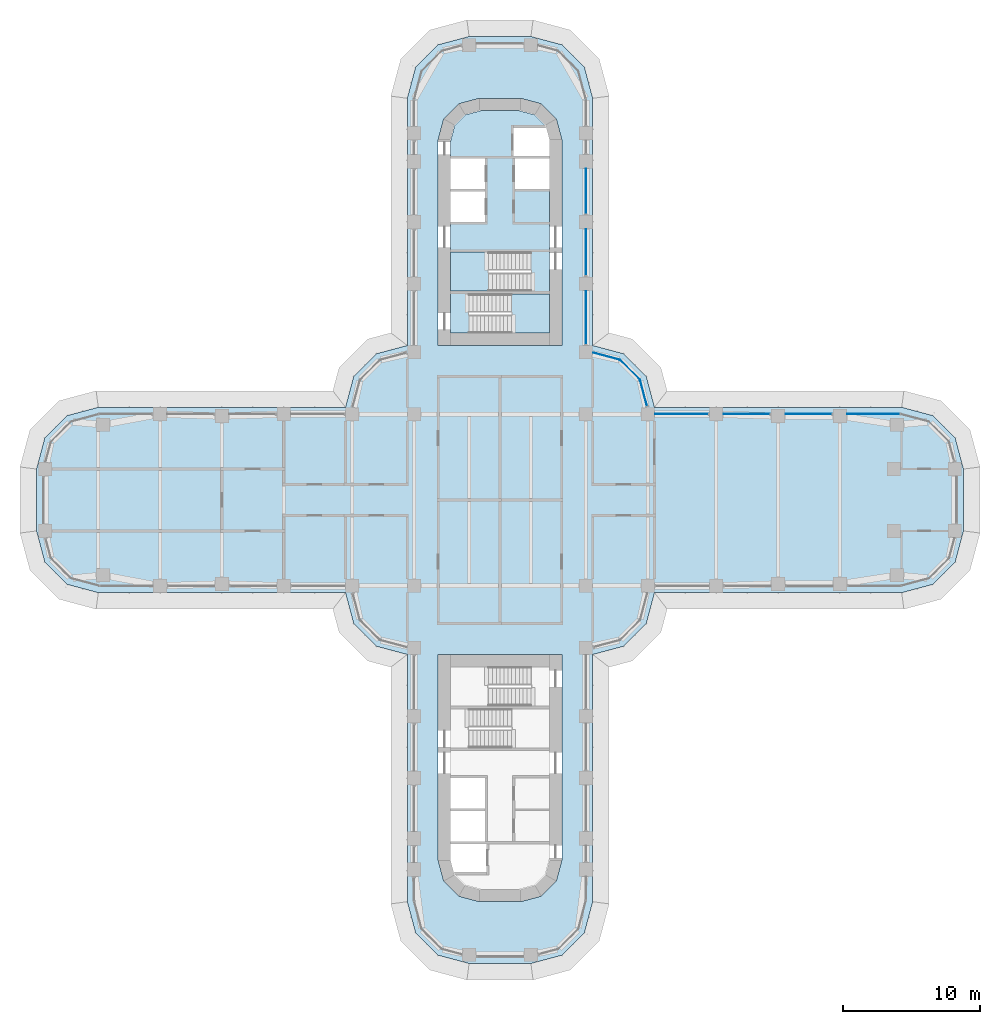
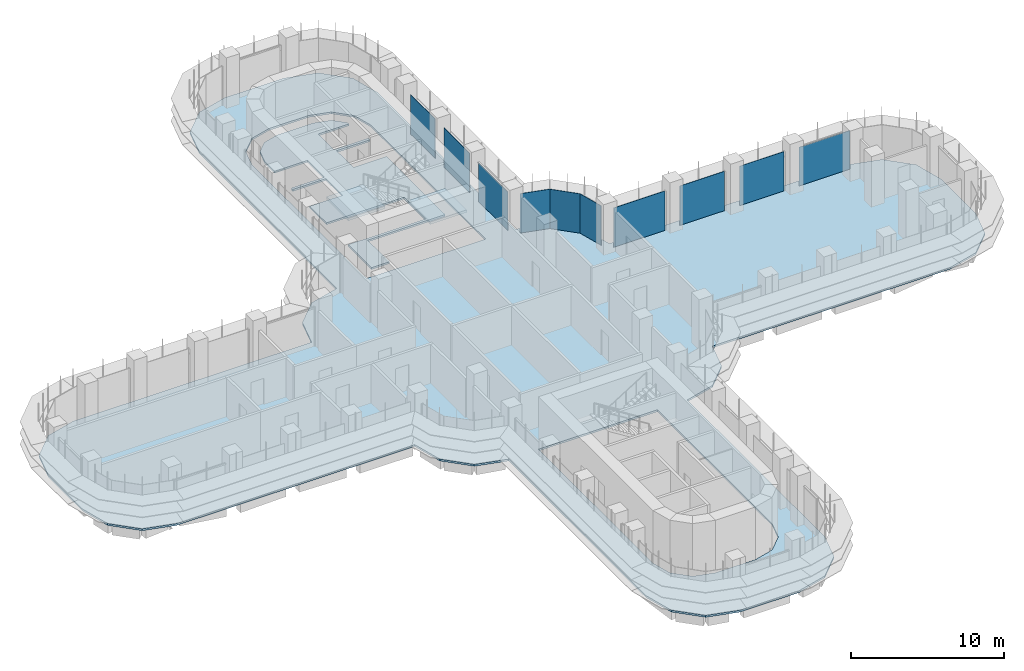
# One storey, part 15 of 23: 10 plates, 4 slabs, 7 elements without a shape of their own.
"""IFC4 building model written with IfcOpenShell, lengths in metres."""

from ifc_helpers import new_model, si_unit, direction, frame, origin, place, context, subcontext, project, spatial, polyline, outline, extrude, source, transform, mapped, material, layer, layer_set, type_object, element, aggregate, save


model = new_model("IFC4")

# Units and contexts
model_context = context("Model", 3, precision=1e-05, world=origin(), true_north=direction((0.0, 1.0)))
body_context = subcontext(model_context, "Body", "Model", "MODEL_VIEW")
ifc_project = project(units=[si_unit("LENGTHUNIT", "METRE"), si_unit("AREAUNIT", "SQUARE_METRE"), si_unit("VOLUMEUNIT", "CUBIC_METRE"), si_unit("PLANEANGLEUNIT", "RADIAN"), si_unit("MASSUNIT", "GRAM", prefix="KILO")], contexts=[model_context])

# Site, building, storey
site_placement = place(None, origin())
site = spatial("IfcSite", under=ifc_project, at=site_placement, CompositionType="ELEMENT")
building_placement = place(site_placement, origin())
building = spatial("IfcBuilding", under=site, at=building_placement, Name="Zarbagh Exchange Tower", CompositionType="ELEMENT")
storey_placement = place(building_placement, frame((0.0, 0.0, 64.800048828125)))
storey = spatial("IfcBuildingStorey", under=building, at=storey_placement, Name="L14", CompositionType="ELEMENT", Elevation=64.800048828125)

# Slabs
ifc_material_1 = material(Name="Concrete C40/50", Category="concrete")
ifc_layer_1 = layer(ifc_material_1, 0.14990234375)
ifc_layer_set_1 = layer_set([ifc_layer_1], Name="Composite floor slab 150 C40/50")
slab_type_1 = type_object("IfcSlabType", Name="Composite floor slab 150 C40/50", PredefinedType="FLOOR", material=ifc_layer_set_1)
slab_1_placement = place(storey_placement, frame((0.0, 0.0, -0.150146484375)))
element("IfcSlab", 1, at=slab_1_placement, inside=storey, type_object=slab_type_1, Name="S5 composite floor slab", PredefinedType="FLOOR", context=body_context, shape_type="SweptSolid", body=[
    extrude(outline(polyline([(-2.25, -33.75), (-4.5, -33.147216796875), (-6.147216796875, -31.5), (-6.75, -29.25), (-6.75, -11.25), (-9.0, -10.647216796875), (-10.647216796875, -9.0), (-11.25, -6.75), (-29.25, -6.75), (-31.5, -6.147216796875), (-33.147216796875, -4.5), (-33.75, -2.25), (-33.75, 2.25), (-33.147216796875, 4.5), (-31.5, 6.147216796875), (-29.25, 6.75), (-11.25, 6.75), (-10.647216796875, 9.0), (-9.0, 10.647216796875), (-6.75, 11.25), (-6.75, 29.25), (-6.147216796875, 31.5), (-4.5, 33.147216796875), (-2.25, 33.75), (2.25, 33.75), (4.5, 33.147216796875), (6.147216796875, 31.5), (6.75, 29.25), (6.75, 11.25), (9.0, 10.647216796875), (10.647216796875, 9.0), (11.25, 6.75), (29.25, 6.75), (31.5, 6.147216796875), (33.147216796875, 4.5), (33.75, 2.25), (33.75, -2.25), (33.147216796875, -4.5), (31.5, -6.147216796875), (29.25, -6.75), (11.25, -6.75), (10.647216796875, -9.0), (9.0, -10.647216796875), (6.75, -11.25), (6.75, -29.25), (6.147216796875, -31.5), (4.5, -33.147216796875), (2.25, -33.75), (-2.25, -33.75)]), holes=[polyline([(4.5, 11.25), (4.5, 26.25), (4.09814453125, 27.75), (3.0, 28.84814453125), (1.5, 29.25), (-1.5, 29.25), (-3.0, 28.84814453125), (-4.09814453125, 27.75), (-4.5, 26.25), (-4.5, 11.25), (4.5, 11.25)]), polyline([(-1.5, -29.25), (1.5, -29.25), (3.0, -28.84814453125), (4.09814453125, -27.75), (4.5, -26.25), (4.5, -11.25), (-4.5, -11.25), (-4.5, -26.25), (-4.09814453125, -27.75), (-3.0, -28.84814453125), (-1.5, -29.25)])]), origin(), (0.0, 0.0, 1.0), 0.150146484375),
])
ifc_layer_2 = layer(ifc_material_1, 0.14990234375)
ifc_layer_set_2 = layer_set([ifc_layer_2], Name="Core floor slab 150 C40/50")
slab_type_2 = type_object("IfcSlabType", Name="Core floor slab 150 C40/50", PredefinedType="FLOOR", material=ifc_layer_set_2)
slab_2_placement = place(storey_placement, frame((0.0, 0.0, -0.150146484375)))
element("IfcSlab", 2, at=slab_2_placement, inside=storey, type_object=slab_type_2, Name="S17 core N", PredefinedType="FLOOR", context=body_context, shape_type="SweptSolid", body=[
    extrude(outline(polyline([(-3.60009765625, 12.14990234375), (-3.60009765625, 15.199951171875), (2.25, 15.199951171875), (2.25, 18.050048828125), (-3.60009765625, 18.050048828125), (-3.60009765625, 20.25), (-1.10009765625, 20.25), (-1.10009765625, 22.449951171875), (-3.60009765625, 22.449951171875), (-3.60009765625, 22.64990234375), (-1.10009765625, 22.64990234375), (-1.10009765625, 24.85009765625), (-3.60009765625, 24.85009765625), (-3.60009765625, 26.131591796875), (-3.291259765625, 27.2841796875), (-2.5341796875, 28.041259765625), (-1.381591796875, 28.35009765625), (1.381591796875, 28.35009765625), (2.5341796875, 28.041259765625), (3.291259765625, 27.2841796875), (3.340576171875, 27.10009765625), (1.0, 27.10009765625), (1.0, 25.050048828125), (3.60009765625, 25.050048828125), (3.60009765625, 24.85009765625), (1.10009765625, 24.85009765625), (1.10009765625, 22.64990234375), (3.60009765625, 22.64990234375), (3.60009765625, 15.0), (-2.25, 15.0), (-2.25, 12.14990234375), (-3.60009765625, 12.14990234375)])), origin(), (0.0, 0.0, 1.0), 0.150146484375),
])

# Stair, slab
stair_type = type_object("IfcStairType", Name="Exit stair two-flight half-turn", PredefinedType="HALF_TURN_STAIR", material=ifc_material_1)
stair_1_placement = place(storey_placement, origin())
stair_1 = element("IfcStair", 3, at=stair_1_placement, inside=storey, type_object=stair_type, Name="exit stair ST1", PredefinedType="HALF_TURN_STAIR")
ifc_layer_3 = layer(ifc_material_1, 0.199951171875)
ifc_layer_set_3 = layer_set([ifc_layer_3], Name="Stair landing 200 mm")
slab_type_3 = type_object("IfcSlabType", Name="Stair landing 200 mm", PredefinedType="LANDING", material=ifc_layer_set_3)
slab_3_placement = place(storey_placement, frame((0.0, 0.0, 1.89990234375)))
slab_3 = element("IfcSlab", 4, at=slab_3_placement, type_object=slab_type_3, Name="ST1 landing 1", PredefinedType="LANDING", context=body_context, shape_type="SweptSolid", body=[
    extrude(outline(polyline([(-0.830078125, 18.050048828125), (-3.60009765625, 18.050048828125), (-3.60009765625, 15.199951171875), (-0.830078125, 15.199951171875), (-0.830078125, 18.050048828125)])), origin(), (0.0, 0.0, 1.0), 0.199951171875),
])
aggregate(stair_1, [slab_3])

stair_2_placement = place(storey_placement, origin())
stair_2 = element("IfcStair", 5, at=stair_2_placement, inside=storey, type_object=stair_type, Name="exit stair ST2", PredefinedType="HALF_TURN_STAIR")
slab_4_placement = place(storey_placement, frame((0.0, 0.0, 1.89990234375)))
slab_4 = element("IfcSlab", 6, at=slab_4_placement, type_object=slab_type_3, Name="ST2 landing 1", PredefinedType="LANDING", context=body_context, shape_type="SweptSolid", body=[
    extrude(outline(polyline([(0.830078125, 12.14990234375), (3.60009765625, 12.14990234375), (3.60009765625, 15.0), (0.830078125, 15.0), (0.830078125, 12.14990234375)])), origin(), (0.0, 0.0, 1.0), 0.199951171875),
])
aggregate(stair_2, [slab_4])

# Curtain wall, plate
ifc_material_2 = material(Name="Anodised aluminium frame and glazing", Category="aluminium")
curtain_wall_type = type_object("IfcCurtainWallType", Name="CWA Ribbon glazing, lower zones", PredefinedType="NOTDEFINED", material=ifc_material_2)
curtain_wall_1_placement = place(storey_placement, origin())
curtain_wall_1 = element("IfcCurtainWall", 7, at=curtain_wall_1_placement, inside=storey, type_object=curtain_wall_type, Name="CWA18 curtain wall", PredefinedType="NOTDEFINED")
ifc_material_3 = material(Name="Low-e double glazed unit, 6+12+6 mm")
ifc_layer_4 = layer(ifc_material_3, 0.028076171875)
ifc_layer_set_4 = layer_set([ifc_layer_4], Name="PAA Glazing panel, Low-e double glazed unit, 6+12+6 mm")
plate_type = type_object("IfcPlateType", Name="PAA Glazing panel, Low-e double glazed unit, 6+12+6 mm", PredefinedType="CURTAIN_PANEL", material=ifc_layer_set_4)
shared_shape_1 = source(origin(), body_context, "Body", "SweptSolid", [
    extrude(outline(polyline([(0.0, -0.013916015625), (2.061279296875, -0.013916015625), (2.061279296875, 0.013916015625), (0.0, 0.013916015625), (0.0, -0.013916015625)])), origin(), (0.0, 0.0, 1.0), 3.14990234375),
])
placement = place(storey_placement, origin())
plate_1 = element("IfcPlate", 8, at=placement, type_object=plate_type, Name="CWA18 glazing panel 1.1", PredefinedType="CURTAIN_PANEL", context=body_context, shape_type="MappedRepresentation", body=[
    mapped(shared_shape_1, transform((10.19873046875, 8.7412109375, 0.0), x_axis=(-0.707106781187, 0.707106781187, 0.0), y_axis=(-0.707106781187, -0.707106781187, 0.0), z_axis=(0.0, 0.0, 1.0))),
])
aggregate(curtain_wall_1, [plate_1])

curtain_wall_2_placement = place(storey_placement, origin())
curtain_wall_2 = element("IfcCurtainWall", 9, at=curtain_wall_2_placement, inside=storey, type_object=curtain_wall_type, Name="CWA20 curtain wall", PredefinedType="NOTDEFINED")
shared_shape_2 = source(origin(), body_context, "Body", "SweptSolid", [
    extrude(outline(polyline([(0.0, -0.013916015625), (3.260009765625, -0.013916015625), (3.260009765625, 0.013916015625), (0.0, 0.013916015625), (0.0, -0.013916015625)])), origin(), (0.0, 0.0, 1.0), 3.14990234375),
])
plate_2 = element("IfcPlate", 10, at=placement, type_object=plate_type, Name="CWA20 glazing panel 3.1", PredefinedType="CURTAIN_PANEL", context=body_context, shape_type="MappedRepresentation", body=[
    mapped(shared_shape_2, transform((6.25, 20.85009765625, 0.0), x_axis=(0.0, 1.0, 0.0), y_axis=(-1.0, 0.0, 0.0), z_axis=(0.0, 0.0, 1.0))),
])

# Curtain wall, plates
curtain_wall_3_placement = place(storey_placement, origin())
curtain_wall_3 = element("IfcCurtainWall", 11, at=curtain_wall_3_placement, inside=storey, type_object=curtain_wall_type, Name="CWA16 curtain wall", PredefinedType="NOTDEFINED")
shared_shape_3 = source(origin(), body_context, "Body", "SweptSolid", [
    extrude(outline(polyline([(0.0, -0.013916015625), (3.360107421875, -0.013916015625), (3.360107421875, 0.013916015625), (0.0, 0.013916015625), (0.0, -0.013916015625)])), origin(), (0.0, 0.0, 1.0), 3.14990234375),
])
plate_3 = element("IfcPlate", 12, at=placement, type_object=plate_type, Name="CWA16 glazing panel 2.1", PredefinedType="CURTAIN_PANEL", context=body_context, shape_type="MappedRepresentation", body=[
    mapped(shared_shape_3, transform((24.14990234375, 6.25, 0.0), x_axis=(-1.0, 0.0, 0.0), y_axis=(0.0, -1.0, 0.0), z_axis=(0.0, 0.0, 1.0))),
])
plate_4 = element("IfcPlate", 13, at=placement, type_object=plate_type, Name="CWA16 glazing panel 3.1", PredefinedType="CURTAIN_PANEL", context=body_context, shape_type="MappedRepresentation", body=[
    mapped(shared_shape_3, transform((19.64990234375, 6.25, 0.0), x_axis=(-1.0, 0.0, 0.0), y_axis=(0.0, -1.0, 0.0), z_axis=(0.0, 0.0, 1.0))),
])

# Plate
plate_5 = element("IfcPlate", 14, at=placement, type_object=plate_type, Name="CWA20 glazing panel 2.1", PredefinedType="CURTAIN_PANEL", context=body_context, shape_type="MappedRepresentation", body=[
    mapped(shared_shape_3, transform((6.25, 16.35009765625, 0.0), x_axis=(0.0, 1.0, 0.0), y_axis=(-1.0, 0.0, 0.0), z_axis=(0.0, 0.0, 1.0))),
])

# Curtain wall, plate
curtain_wall_4_placement = place(storey_placement, origin())
curtain_wall_4 = element("IfcCurtainWall", 15, at=curtain_wall_4_placement, inside=storey, type_object=curtain_wall_type, Name="CWA17 curtain wall", PredefinedType="NOTDEFINED")
shared_shape_4 = source(origin(), body_context, "Body", "SweptSolid", [
    extrude(outline(polyline([(0.0, -0.013916015625), (1.9599609375, -0.013916015625), (1.9599609375, 0.013916015625), (0.0, 0.013916015625), (0.0, -0.013916015625)])), origin(), (0.0, 0.0, 1.0), 3.14990234375),
])
plate_6 = element("IfcPlate", 16, at=placement, type_object=plate_type, Name="CWA17 glazing panel 1.1", PredefinedType="CURTAIN_PANEL", context=body_context, shape_type="MappedRepresentation", body=[
    mapped(shared_shape_4, transform((10.7060546875, 6.847900390625, 0.0), x_axis=(-0.258824779902, 0.965924289636, 0.0), y_axis=(-0.965924289636, -0.258824779902, 0.0), z_axis=(0.0, 0.0, 1.0))),
])
aggregate(curtain_wall_4, [plate_6])

curtain_wall_5_placement = place(storey_placement, origin())
curtain_wall_5 = element("IfcCurtainWall", 17, at=curtain_wall_5_placement, inside=storey, type_object=curtain_wall_type, Name="CWA19 curtain wall", PredefinedType="NOTDEFINED")
shared_shape_5 = source(origin(), body_context, "Body", "SweptSolid", [
    extrude(outline(polyline([(0.0, -0.013916015625), (2.02001953125, -0.013916015625), (2.02001953125, 0.013916015625), (0.0, 0.013916015625), (0.0, -0.013916015625)])), origin(), (0.0, 0.0, 1.0), 3.14990234375),
])
plate_7 = element("IfcPlate", 18, at=placement, type_object=plate_type, Name="CWA19 glazing panel 1.1", PredefinedType="CURTAIN_PANEL", context=body_context, shape_type="MappedRepresentation", body=[
    mapped(shared_shape_5, transform((8.7412109375, 10.19873046875, 0.0), x_axis=(-0.965924289636, 0.258824779902, 0.0), y_axis=(-0.258824779902, -0.965924289636, 0.0), z_axis=(0.0, 0.0, 1.0))),
])
aggregate(curtain_wall_5, [plate_7])

# Plate
shared_shape_6 = source(origin(), body_context, "Body", "SweptSolid", [
    extrude(outline(polyline([(0.0, -0.013916015625), (3.860107421875, -0.013916015625), (3.860107421875, 0.013916015625), (0.0, 0.013916015625), (0.0, -0.013916015625)])), origin(), (0.0, 0.0, 1.0), 3.090087890625),
])
plate_8 = element("IfcPlate", 19, at=placement, type_object=plate_type, Name="CWA20 glazing panel 1.1", PredefinedType="CURTAIN_PANEL", context=body_context, shape_type="MappedRepresentation", body=[
    mapped(shared_shape_6, transform((6.25, 11.35009765625, 0.0), x_axis=(0.0, 1.0, 0.0), y_axis=(-1.0, 0.0, 0.0), z_axis=(0.0, 0.0, 1.0))),
])

aggregate(curtain_wall_2, [plate_8, plate_5, plate_2])

shared_shape_7 = source(origin(), body_context, "Body", "SweptSolid", [
    extrude(outline(polyline([(0.0, -0.013916015625), (3.834228515625, -0.013916015625), (3.834228515625, 0.013916015625), (0.0, 0.013916015625), (0.0, -0.013916015625)])), origin(), (0.0, 0.0, 1.0), 3.090087890625),
])
plate_9 = element("IfcPlate", 20, at=placement, type_object=plate_type, Name="CWA16 glazing panel 1.1", PredefinedType="CURTAIN_PANEL", context=body_context, shape_type="MappedRepresentation", body=[
    mapped(shared_shape_7, transform((29.124267578125, 6.25, 0.0), x_axis=(-1.0, 0.0, 0.0), y_axis=(0.0, -1.0, 0.0), z_axis=(0.0, 0.0, 1.0))),
])

shared_shape_8 = source(origin(), body_context, "Body", "SweptSolid", [
    extrude(outline(polyline([(0.0, -0.013916015625), (3.860107421875, -0.013916015625), (3.860107421875, 0.013916015625), (0.0, 0.013916015625), (0.0, -0.013916015625)])), origin(), (0.0, 0.0, 1.0), 3.14990234375),
])
plate_10 = element("IfcPlate", 21, at=placement, type_object=plate_type, Name="CWA16 glazing panel 4.1", PredefinedType="CURTAIN_PANEL", context=body_context, shape_type="MappedRepresentation", body=[
    mapped(shared_shape_8, transform((15.14990234375, 6.25, 0.0), x_axis=(-1.0, 0.0, 0.0), y_axis=(0.0, -1.0, 0.0), z_axis=(0.0, 0.0, 1.0))),
])

aggregate(curtain_wall_3, [plate_9, plate_3, plate_4, plate_10])

save(model, "model.ifc")
